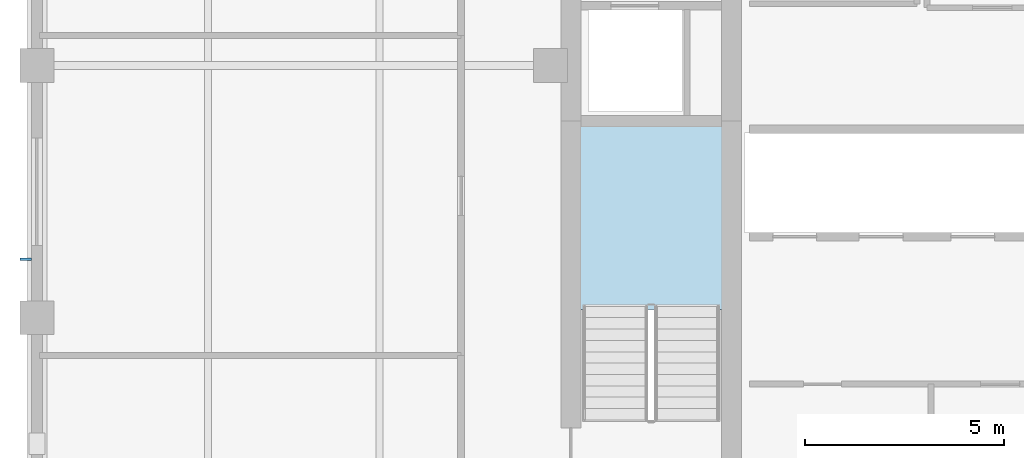
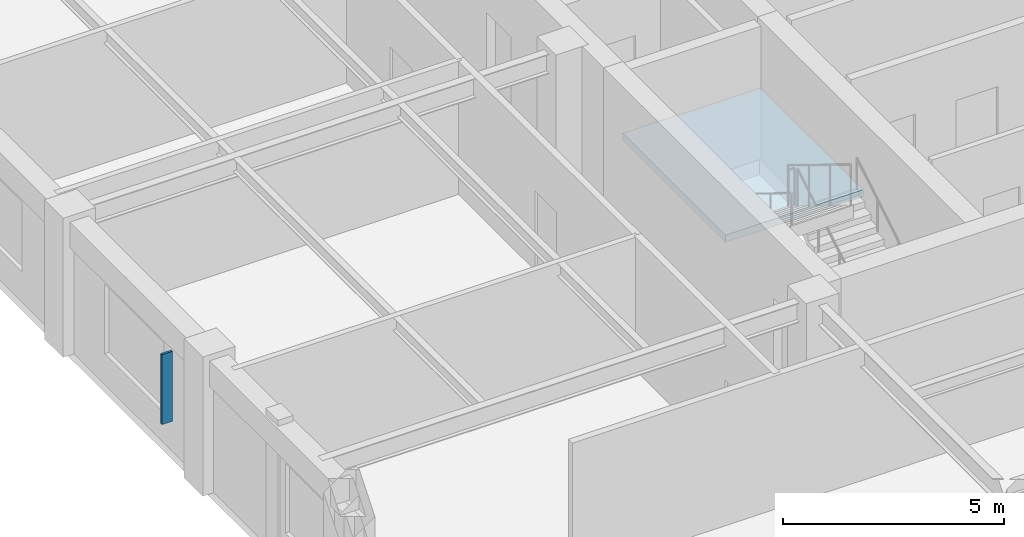
# One storey, part 2 of 9: 1 plate, 1 slab, 1 element without a shape of its own.
"""IFC4 building model written with IfcOpenShell, lengths in metres."""

from ifc_helpers import new_model, si_unit, direction, frame, origin, origin_2d, place, context, subcontext, project, spatial, polyline, rectangle, outline, extrude, material, layer, layer_set, type_object, element, aggregate, save


model = new_model("IFC4")

# Units and contexts
model_context = context("Model", 3, precision=1e-05, world=origin(), true_north=direction((0.0, 1.0)))
body_context = subcontext(model_context, "Body", "Model", "MODEL_VIEW")
ifc_project = project(units=[si_unit("LENGTHUNIT", "METRE"), si_unit("AREAUNIT", "SQUARE_METRE"), si_unit("VOLUMEUNIT", "CUBIC_METRE"), si_unit("PLANEANGLEUNIT", "RADIAN"), si_unit("MASSUNIT", "GRAM", prefix="KILO")], contexts=[model_context])

# Site, building, storey
site_placement = place(None, origin())
site = spatial("IfcSite", under=ifc_project, at=site_placement, CompositionType="ELEMENT")
building_placement = place(site_placement, origin())
building = spatial("IfcBuilding", under=site, at=building_placement, Name="Nhamokura Convention Tower", CompositionType="ELEMENT")
storey_placement = place(building_placement, frame((0.0, 0.0, 190.75)))
storey = spatial("IfcBuildingStorey", under=building, at=storey_placement, Name="L46", CompositionType="ELEMENT", Elevation=190.75)

# Plate
ifc_material_1 = material(Name="Anodised bronze aluminium AA6063-T6", Category="aluminium")
plate_type = type_object("IfcPlateType", Name="BronzeSolarFin_2", PredefinedType="USERDEFINED", material=ifc_material_1)
plate_placement = place(storey_placement, frame((7.469970703125, 27.13330078125, 0.849853515625), z_axis=(0.0, 0.0, 1.0), x_axis=(1.0, 0.0, 0.0)))
element("IfcPlate", 1, at=plate_placement, inside=storey, type_object=plate_type, Name="L46 Bronze Solar Shading Fin WEST 2", ObjectType="SOLAR_FIN", PredefinedType="USERDEFINED", context=body_context, shape_type="SweptSolid", body=[
    extrude(rectangle(XDim=0.280029296875, YDim=0.06005859375, at=origin_2d()), origin(), (0.0, 0.0, 1.0), 1.93505859375),
])

# Stair, slab
ifc_material_2 = material(Name="Concrete C40/50", Category="concrete")
stair_type = type_object("IfcStairType", Name="TowerCoreStair_1650", PredefinedType="HALF_TURN_STAIR", material=ifc_material_2)
stair_placement = place(storey_placement, origin())
stair = element("IfcStair", 2, at=stair_placement, inside=storey, type_object=stair_type, Name="L46 West Core Smokeproof Stair ST-01", PredefinedType="HALF_TURN_STAIR")
ifc_material_3 = material(Name="Concrete C40/50", Category="concrete")
ifc_layer = layer(ifc_material_3, 0.199951171875)
ifc_layer_set = layer_set([ifc_layer], Name="StairLandingSlab_200")
slab_type = type_object("IfcSlabType", Name="StairLandingSlab_200", PredefinedType="LANDING", material=ifc_layer_set)
slab_placement = place(storey_placement, frame((0.0, 0.0, 1.72509765625)))
slab = element("IfcSlab", 3, at=slab_placement, type_object=slab_type, Name="ST-01 landing 1", PredefinedType="LANDING", context=body_context, shape_type="SweptSolid", body=[
    extrude(outline(polyline([(24.97998046875, 25.8701171875), (24.97998046875, 30.530029296875), (21.3701171875, 30.530029296875), (21.3701171875, 25.8701171875), (24.97998046875, 25.8701171875)])), origin(), (0.0, 0.0, 1.0), 0.199951171875),
])
aggregate(stair, [slab])

save(model, "model.ifc")
